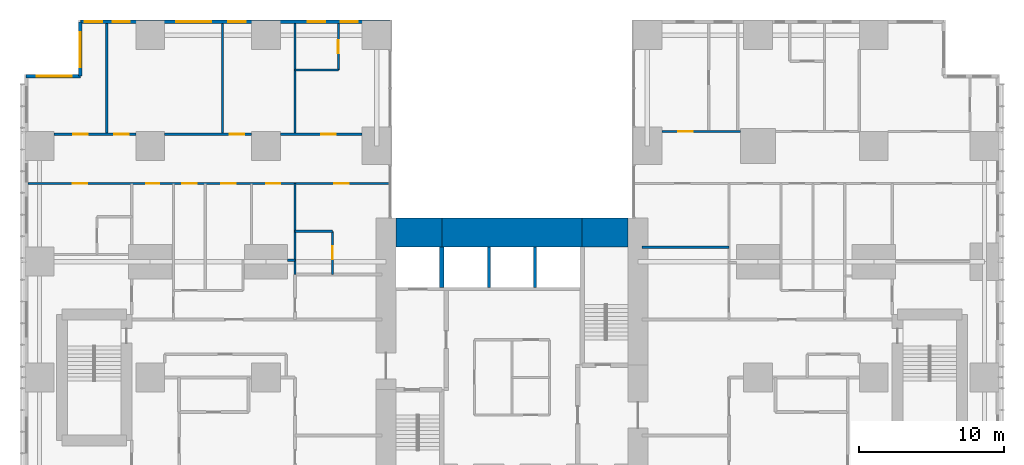
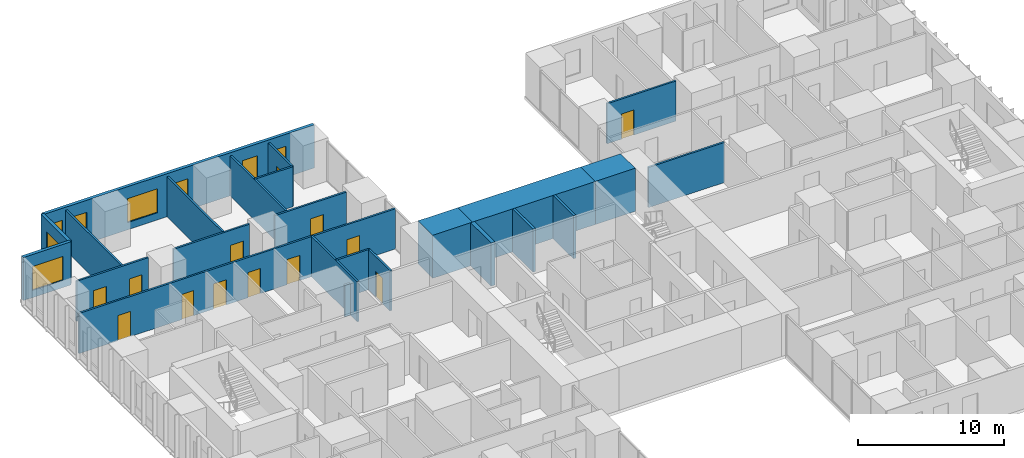
# One storey, part 17 of 20: 24 walls, 13 doors, 8 windows, 21 openings.
"""IFC4 building model written with IfcOpenShell, lengths in metres."""

from ifc_helpers import new_model, si_unit, direction, frame, frame_2d, origin, place, context, subcontext, project, spatial, rectangle, extrude, material, layer, layer_set, type_object, element, fill, save


model = new_model("IFC4")

# Units and contexts
model_context = context("Model", 3, precision=1e-05, world=origin(), true_north=direction((0.0, 1.0)))
body_context = subcontext(model_context, "Body", "Model", "MODEL_VIEW")
ifc_project = project(units=[si_unit("LENGTHUNIT", "METRE"), si_unit("AREAUNIT", "SQUARE_METRE"), si_unit("VOLUMEUNIT", "CUBIC_METRE"), si_unit("PLANEANGLEUNIT", "RADIAN"), si_unit("MASSUNIT", "GRAM", prefix="KILO")], contexts=[model_context])

# Site, building, storey
site_placement = place(None, origin())
site = spatial("IfcSite", under=ifc_project, at=site_placement, CompositionType="ELEMENT")
building_placement = place(site_placement, origin())
building = spatial("IfcBuilding", under=site, at=building_placement, Name="Cleftline Residences", CompositionType="ELEMENT")
storey_placement = place(building_placement, frame((0.0, 0.0, 44.0)))
storey = spatial("IfcBuildingStorey", under=building, at=storey_placement, Name="L10", CompositionType="ELEMENT", Elevation=44.0)

# Walls
ifc_material_1 = material(Name="Concrete B70", Category="concrete")
ifc_layer_1 = layer(ifc_material_1, 2.0)
ifc_layer_set_1 = layer_set([ifc_layer_1], Name="CORE WALL 2000")
wall_type_1 = type_object("IfcWallType", Name="CORE WALL 2000", PredefinedType="SHEAR", material=ifc_layer_set_1)
wall_1_placement = place(storey_placement, frame((25.0, 34.0, 0.0), z_axis=(0.0, 0.0, 1.0), x_axis=(1.0, 0.0, 0.0)))
element("IfcWall", 1, at=wall_1_placement, inside=storey, type_object=wall_type_1, Name="Core wall N1", PredefinedType="SHEAR", context=body_context, shape_type="SweptSolid", body=[
    extrude(rectangle(XDim=3.14990234375, YDim=2.0, at=frame_2d((1.574951171875, 0.0))), origin(), (0.0, 0.0, 1.0), 3.60009765625),
])
wall_2_placement = place(storey_placement, frame((28.14990234375, 34.0, 0.0), z_axis=(0.0, 0.0, 1.0), x_axis=(1.0, 0.0, 0.0)))
element("IfcWall", 2, at=wall_2_placement, inside=storey, type_object=wall_type_1, Name="Core wall N2", PredefinedType="SHEAR", context=body_context, shape_type="SweptSolid", body=[
    extrude(rectangle(XDim=9.7001953125, YDim=2.0, at=frame_2d((4.85009765625, 0.0))), origin(), (0.0, 0.0, 1.0), 3.60009765625),
])
wall_3_placement = place(storey_placement, frame((37.85009765625, 34.0, 0.0), z_axis=(0.0, 0.0, 1.0), x_axis=(1.0, 0.0, 0.0)))
element("IfcWall", 3, at=wall_3_placement, inside=storey, type_object=wall_type_1, Name="Core wall N3", PredefinedType="SHEAR", context=body_context, shape_type="SweptSolid", body=[
    extrude(rectangle(XDim=3.14990234375, YDim=2.0, at=frame_2d((1.574951171875, 0.0))), origin(), (0.0, 0.0, 1.0), 3.60009765625),
])
ifc_material_2 = material(Name="Concrete B70", Category="concrete")
ifc_layer_2 = layer(ifc_material_2, 0.300048828125)
ifc_layer_set_2 = layer_set([ifc_layer_2], Name="CORE WALL 300")
wall_type_2 = type_object("IfcWallType", Name="CORE WALL 300", PredefinedType="SHEAR", material=ifc_layer_set_2)
wall_4_placement = place(storey_placement, frame((28.14990234375, 30.199951171875, 0.0), z_axis=(0.0, 0.0, 1.0), x_axis=(0.0, 1.0, 0.0)))
element("IfcWall", 4, at=wall_4_placement, inside=storey, type_object=wall_type_2, Name="Lift shaft wall", PredefinedType="SHEAR", context=body_context, shape_type="SweptSolid", body=[
    extrude(rectangle(XDim=2.800048828125, YDim=0.300048828125, at=frame_2d((1.39990234375, 0.0))), origin(), (0.0, 0.0, 1.0), 3.60009765625),
])

# Wall, openings, windows
ifc_material_3 = material(Name="Rendered reinforced concrete blockwork", Category="masonry")
ifc_layer_3 = layer(ifc_material_3, 0.25)
ifc_layer_set_3 = layer_set([ifc_layer_3], Name="EXTERNAL WALL 250")
wall_type_3 = type_object("IfcWallType", Name="EXTERNAL WALL 250", PredefinedType="SOLIDWALL", material=ifc_layer_set_3)
wall_5_placement = place(storey_placement, frame((24.574951171875, 48.574951171875, 0.0), z_axis=(0.0, 0.0, 1.0), x_axis=(-1.0, 0.0, 0.0)))
wall_5 = element("IfcWall", 5, at=wall_5_placement, inside=storey, type_object=wall_type_3, Name="External wall", PredefinedType="SOLIDWALL", context=body_context, shape_type="SweptSolid", body=[
    extrude(rectangle(XDim=21.39990234375, YDim=0.25, at=frame_2d((10.699951171875, 0.0))), origin(), (0.0, 0.0, 1.0), 3.60009765625),
])
opening_1_placement = place(wall_5_placement, frame((2.22509765625, 0.0, 0.60009765625)))
opening_1 = element("IfcOpeningElement", 6, at=opening_1_placement, cuts=wall_5, Name="Opening W8", PredefinedType="OPENING", context=body_context, shape_type="SweptSolid", body=[
    extrude(rectangle(XDim=1.199951171875, YDim=2.0, at=frame_2d((0.60009765625, 1.0))), frame((0.0, 0.135009765625, 0.0), z_axis=(0.0, -1.0, 0.0), x_axis=(1.0, 0.0, 0.0)), (0.0, 0.0, 1.0), 0.27001953125),
])
opening_2_placement = place(wall_5_placement, frame((4.47509765625, 0.0, 0.60009765625)))
opening_2 = element("IfcOpeningElement", 7, at=opening_2_placement, cuts=wall_5, Name="Opening W8", PredefinedType="OPENING", context=body_context, shape_type="SweptSolid", body=[
    extrude(rectangle(XDim=1.199951171875, YDim=2.0, at=frame_2d((0.60009765625, 1.0))), frame((0.0, 0.135009765625, 0.0), z_axis=(0.0, -1.0, 0.0), x_axis=(1.0, 0.0, 0.0)), (0.0, 0.0, 1.0), 0.27001953125),
])
opening_3_placement = place(wall_5_placement, frame((9.97509765625, 0.0, 0.60009765625)))
opening_3 = element("IfcOpeningElement", 8, at=opening_3_placement, cuts=wall_5, Name="Opening W8", PredefinedType="OPENING", context=body_context, shape_type="SweptSolid", body=[
    extrude(rectangle(XDim=1.199951171875, YDim=2.0, at=frame_2d((0.60009765625, 1.0))), frame((0.0, 0.135009765625, 0.0), z_axis=(0.0, -1.0, 0.0), x_axis=(1.0, 0.0, 0.0)), (0.0, 0.0, 1.0), 0.27001953125),
])
opening_4_placement = place(wall_5_placement, frame((12.375, 0.0, 0.60009765625)))
opening_4 = element("IfcOpeningElement", 9, at=opening_4_placement, cuts=wall_5, Name="Opening W6", PredefinedType="OPENING", context=body_context, shape_type="SweptSolid", body=[
    extrude(rectangle(XDim=2.39990234375, YDim=2.0, at=frame_2d((1.199951171875, 1.0))), frame((0.0, 0.135009765625, 0.0), z_axis=(0.0, -1.0, 0.0), x_axis=(1.0, 0.0, 0.0)), (0.0, 0.0, 1.0), 0.27001953125),
])
opening_5_placement = place(wall_5_placement, frame((17.97509765625, 0.0, 0.60009765625)))
opening_5 = element("IfcOpeningElement", 10, at=opening_5_placement, cuts=wall_5, Name="Opening W8", PredefinedType="OPENING", context=body_context, shape_type="SweptSolid", body=[
    extrude(rectangle(XDim=1.199951171875, YDim=2.0, at=frame_2d((0.60009765625, 1.0))), frame((0.0, 0.135009765625, 0.0), z_axis=(0.0, -1.0, 0.0), x_axis=(1.0, 0.0, 0.0)), (0.0, 0.0, 1.0), 0.27001953125),
])
opening_6_placement = place(wall_5_placement, frame((19.89990234375, 0.0, 0.60009765625)))
opening_6 = element("IfcOpeningElement", 11, at=opening_6_placement, cuts=wall_5, Name="Opening W8", PredefinedType="OPENING", context=body_context, shape_type="SweptSolid", body=[
    extrude(rectangle(XDim=1.199951171875, YDim=2.0, at=frame_2d((0.60009765625, 1.0))), frame((0.0, 0.135009765625, 0.0), z_axis=(0.0, -1.0, 0.0), x_axis=(1.0, 0.0, 0.0)), (0.0, 0.0, 1.0), 0.27001953125),
])
ifc_material_4 = material(Name="Aluminium frame, clear double glazing", Category="aluminium")
window_type_1 = type_object("IfcWindowType", Name="WINDOW 1200X2000", PartitioningType="DOUBLE_PANEL_VERTICAL", PredefinedType="WINDOW", material=ifc_material_4)
window_1_placement = place(opening_1_placement, origin())
window_1 = element("IfcWindow", 12, at=window_1_placement, inside=storey, type_object=window_type_1, Name="Window", OverallHeight=2.0, OverallWidth=1.199951171875, PartitioningType="SINGLE_PANEL", PredefinedType="WINDOW", context=body_context, shape_type="SweptSolid", body=[
    extrude(rectangle(XDim=1.199951171875, YDim=2.0, at=frame_2d((0.60009765625, 1.0))), frame((0.0, 0.030029296875, 0.0), z_axis=(0.0, -1.0, 0.0), x_axis=(1.0, 0.0, 0.0)), (0.0, 0.0, 1.0), 0.06005859375),
])
fill(opening_1, window_1)
window_2_placement = place(opening_2_placement, origin())
window_2 = element("IfcWindow", 13, at=window_2_placement, inside=storey, type_object=window_type_1, Name="Window", OverallHeight=2.0, OverallWidth=1.199951171875, PartitioningType="SINGLE_PANEL", PredefinedType="WINDOW", context=body_context, shape_type="SweptSolid", body=[
    extrude(rectangle(XDim=1.199951171875, YDim=2.0, at=frame_2d((0.60009765625, 1.0))), frame((0.0, 0.030029296875, 0.0), z_axis=(0.0, -1.0, 0.0), x_axis=(1.0, 0.0, 0.0)), (0.0, 0.0, 1.0), 0.06005859375),
])
fill(opening_2, window_2)
window_3_placement = place(opening_3_placement, origin())
window_3 = element("IfcWindow", 14, at=window_3_placement, inside=storey, type_object=window_type_1, Name="Window", OverallHeight=2.0, OverallWidth=1.199951171875, PartitioningType="SINGLE_PANEL", PredefinedType="WINDOW", context=body_context, shape_type="SweptSolid", body=[
    extrude(rectangle(XDim=1.199951171875, YDim=2.0, at=frame_2d((0.60009765625, 1.0))), frame((0.0, 0.030029296875, 0.0), z_axis=(0.0, -1.0, 0.0), x_axis=(1.0, 0.0, 0.0)), (0.0, 0.0, 1.0), 0.06005859375),
])
fill(opening_3, window_3)
window_4_placement = place(opening_5_placement, origin())
window_4 = element("IfcWindow", 15, at=window_4_placement, inside=storey, type_object=window_type_1, Name="Window", OverallHeight=2.0, OverallWidth=1.199951171875, PartitioningType="SINGLE_PANEL", PredefinedType="WINDOW", context=body_context, shape_type="SweptSolid", body=[
    extrude(rectangle(XDim=1.199951171875, YDim=2.0, at=frame_2d((0.60009765625, 1.0))), frame((0.0, 0.030029296875, 0.0), z_axis=(0.0, -1.0, 0.0), x_axis=(1.0, 0.0, 0.0)), (0.0, 0.0, 1.0), 0.06005859375),
])
fill(opening_5, window_4)
window_5_placement = place(opening_6_placement, origin())
window_5 = element("IfcWindow", 16, at=window_5_placement, inside=storey, type_object=window_type_1, Name="Window", OverallHeight=2.0, OverallWidth=1.199951171875, PartitioningType="SINGLE_PANEL", PredefinedType="WINDOW", context=body_context, shape_type="SweptSolid", body=[
    extrude(rectangle(XDim=1.199951171875, YDim=2.0, at=frame_2d((0.60009765625, 1.0))), frame((0.0, 0.030029296875, 0.0), z_axis=(0.0, -1.0, 0.0), x_axis=(1.0, 0.0, 0.0)), (0.0, 0.0, 1.0), 0.06005859375),
])
fill(opening_6, window_5)
ifc_material_5 = material(Name="Aluminium frame, clear double glazing", Category="aluminium")
window_type_2 = type_object("IfcWindowType", Name="WINDOW 2400X2000", PartitioningType="DOUBLE_PANEL_VERTICAL", PredefinedType="WINDOW", material=ifc_material_5)
window_6_placement = place(opening_4_placement, origin())
window_6 = element("IfcWindow", 17, at=window_6_placement, inside=storey, type_object=window_type_2, Name="Window", OverallHeight=2.0, OverallWidth=2.39990234375, PartitioningType="SINGLE_PANEL", PredefinedType="WINDOW", context=body_context, shape_type="SweptSolid", body=[
    extrude(rectangle(XDim=2.39990234375, YDim=2.0, at=frame_2d((1.199951171875, 1.0))), frame((0.0, 0.030029296875, 0.0), z_axis=(0.0, -1.0, 0.0), x_axis=(1.0, 0.0, 0.0)), (0.0, 0.0, 1.0), 0.06005859375),
])
fill(opening_4, window_6)

# Wall, opening, window
wall_6_placement = place(storey_placement, frame((3.175048828125, 48.574951171875, 0.0), z_axis=(0.0, 0.0, 1.0), x_axis=(0.0, -1.0, 0.0)))
wall_6 = element("IfcWall", 18, at=wall_6_placement, inside=storey, type_object=wall_type_3, Name="External wall", PredefinedType="SOLIDWALL", context=body_context, shape_type="SweptSolid", body=[
    extrude(rectangle(XDim=3.75, YDim=0.25, at=frame_2d((1.875, 0.0))), origin(), (0.0, 0.0, 1.0), 3.60009765625),
])
opening_7_placement = place(wall_6_placement, frame((0.737548828125, 0.0, 0.60009765625)))
opening_7 = element("IfcOpeningElement", 19, at=opening_7_placement, cuts=wall_6, Name="Opening W6", PredefinedType="OPENING", context=body_context, shape_type="SweptSolid", body=[
    extrude(rectangle(XDim=2.39990234375, YDim=2.0, at=frame_2d((1.199951171875, 1.0))), frame((0.0, 0.135009765625, 0.0), z_axis=(0.0, -1.0, 0.0), x_axis=(1.0, 0.0, 0.0)), (0.0, 0.0, 1.0), 0.27001953125),
])
window_7_placement = place(opening_7_placement, origin())
window_7 = element("IfcWindow", 20, at=window_7_placement, inside=storey, type_object=window_type_2, Name="Window", OverallHeight=2.0, OverallWidth=2.39990234375, PartitioningType="SINGLE_PANEL", PredefinedType="WINDOW", context=body_context, shape_type="SweptSolid", body=[
    extrude(rectangle(XDim=2.39990234375, YDim=2.0, at=frame_2d((1.199951171875, 1.0))), frame((0.0, 0.030029296875, 0.0), z_axis=(0.0, -1.0, 0.0), x_axis=(1.0, 0.0, 0.0)), (0.0, 0.0, 1.0), 0.06005859375),
])
fill(opening_7, window_7)

wall_7_placement = place(storey_placement, frame((3.175048828125, 44.824951171875, 0.0), z_axis=(0.0, 0.0, 1.0), x_axis=(-1.0, 0.0, 0.0)))
wall_7 = element("IfcWall", 21, at=wall_7_placement, inside=storey, type_object=wall_type_3, Name="External wall", PredefinedType="SOLIDWALL", context=body_context, shape_type="SweptSolid", body=[
    extrude(rectangle(XDim=3.75, YDim=0.25, at=frame_2d((1.875, 0.0))), origin(), (0.0, 0.0, 1.0), 3.60009765625),
])
opening_8_placement = place(wall_7_placement, frame((0.612548828125, 0.0, 0.60009765625)))
opening_8 = element("IfcOpeningElement", 22, at=opening_8_placement, cuts=wall_7, Name="Opening W6", PredefinedType="OPENING", context=body_context, shape_type="SweptSolid", body=[
    extrude(rectangle(XDim=2.39990234375, YDim=2.0, at=frame_2d((1.199951171875, 1.0))), frame((0.0, 0.135009765625, 0.0), z_axis=(0.0, -1.0, 0.0), x_axis=(1.0, 0.0, 0.0)), (0.0, 0.0, 1.0), 0.27001953125),
])
window_8_placement = place(opening_8_placement, origin())
window_8 = element("IfcWindow", 23, at=window_8_placement, inside=storey, type_object=window_type_2, Name="Window", OverallHeight=2.0, OverallWidth=2.39990234375, PartitioningType="SINGLE_PANEL", PredefinedType="WINDOW", context=body_context, shape_type="SweptSolid", body=[
    extrude(rectangle(XDim=2.39990234375, YDim=2.0, at=frame_2d((1.199951171875, 1.0))), frame((0.0, 0.030029296875, 0.0), z_axis=(0.0, -1.0, 0.0), x_axis=(1.0, 0.0, 0.0)), (0.0, 0.0, 1.0), 0.06005859375),
])
fill(opening_8, window_8)

# Walls
ifc_material_6 = material(Name="Gypsum board on steel studs", Category="steel")
ifc_layer_4 = layer(ifc_material_6, 0.14990234375)
ifc_layer_set_4 = layer_set([ifc_layer_4], Name="PARTITION 150")
wall_type_4 = type_object("IfcWallType", Name="PARTITION 150", PredefinedType="PARTITIONING", material=ifc_layer_set_4)
wall_8_placement = place(storey_placement, frame((17.5, 32.10009765625, 0.0), z_axis=(0.0, 0.0, 1.0), x_axis=(1.0, 0.0, 0.0)))
element("IfcWall", 24, at=wall_8_placement, inside=storey, type_object=wall_type_4, Name="Partition", PredefinedType="PARTITIONING", context=body_context, shape_type="SweptSolid", body=[
    extrude(rectangle(XDim=0.5, YDim=0.14990234375, at=frame_2d((0.25, 0.0))), origin(), (0.0, 0.0, 1.0), 2.634033203125),
])
wall_9_placement = place(storey_placement, frame((42.0, 33.0, 0.0), z_axis=(0.0, 0.0, 1.0), x_axis=(1.0, 0.0, 0.0)))
element("IfcWall", 25, at=wall_9_placement, inside=storey, type_object=wall_type_4, Name="Partition", PredefinedType="PARTITIONING", context=body_context, shape_type="SweptSolid", body=[
    extrude(rectangle(XDim=6.0, YDim=0.14990234375, at=frame_2d((3.0, 0.0))), origin(), (0.0, 0.0, 1.0), 3.35009765625),
])
wall_10_placement = place(storey_placement, frame((18.0, 34.10009765625, 0.0), z_axis=(0.0, 0.0, 1.0), x_axis=(1.0, 0.0, 0.0)))
element("IfcWall", 26, at=wall_10_placement, inside=storey, type_object=wall_type_4, Name="Partition", PredefinedType="PARTITIONING", context=body_context, shape_type="SweptSolid", body=[
    extrude(rectangle(XDim=2.60009765625, YDim=0.14990234375, at=frame_2d((1.300048828125, 0.0))), origin(), (0.0, 0.0, 1.0), 3.35009765625),
])

# Wall, openings, doors
wall_11_placement = place(storey_placement, frame((-0.449951171875, 37.39990234375, 0.0), z_axis=(0.0, 0.0, 1.0), x_axis=(1.0, 0.0, 0.0)))
wall_11 = element("IfcWall", 27, at=wall_11_placement, inside=storey, type_object=wall_type_4, Name="Partition", PredefinedType="PARTITIONING", context=body_context, shape_type="SweptSolid", body=[
    extrude(rectangle(XDim=25.010986328125, YDim=0.14990234375, at=frame_2d((12.50537109375, 0.0))), origin(), (0.0, 0.0, 1.0), 3.35009765625),
])
opening_9_placement = place(wall_11_placement, frame((10.64990234375, 0.0, 0.0)))
opening_9 = element("IfcOpeningElement", 28, at=opening_9_placement, cuts=wall_11, Name="Opening D2", PredefinedType="OPENING", context=body_context, shape_type="SweptSolid", body=[
    extrude(rectangle(XDim=1.0, YDim=2.10009765625, at=frame_2d((0.5, 1.050048828125))), frame((0.0, 0.0849609375, 0.0), z_axis=(0.0, -1.0, 0.0), x_axis=(1.0, 0.0, 0.0)), (0.0, 0.0, 1.0), 0.169921875),
])
opening_10_placement = place(wall_11_placement, frame((3.08740234375, 0.0, 0.0)))
opening_10 = element("IfcOpeningElement", 29, at=opening_10_placement, cuts=wall_11, Name="Opening D2", PredefinedType="OPENING", context=body_context, shape_type="SweptSolid", body=[
    extrude(rectangle(XDim=1.0, YDim=2.10009765625, at=frame_2d((0.5, 1.050048828125))), frame((0.0, 0.0849609375, 0.0), z_axis=(0.0, -1.0, 0.0), x_axis=(1.0, 0.0, 0.0)), (0.0, 0.0, 1.0), 0.169921875),
])
opening_11_placement = place(wall_11_placement, frame((8.16259765625, 0.0, 0.0)))
opening_11 = element("IfcOpeningElement", 30, at=opening_11_placement, cuts=wall_11, Name="Opening D1", PredefinedType="OPENING", context=body_context, shape_type="SweptSolid", body=[
    extrude(rectangle(XDim=0.89990234375, YDim=2.10009765625, at=frame_2d((0.449951171875, 1.050048828125))), frame((0.0, 0.0849609375, 0.0), z_axis=(0.0, -1.0, 0.0), x_axis=(1.0, 0.0, 0.0)), (0.0, 0.0, 1.0), 0.169921875),
])
opening_12_placement = place(wall_11_placement, frame((13.35009765625, 0.0, 0.0)))
opening_12 = element("IfcOpeningElement", 31, at=opening_12_placement, cuts=wall_11, Name="Opening D2", PredefinedType="OPENING", context=body_context, shape_type="SweptSolid", body=[
    extrude(rectangle(XDim=1.0, YDim=2.10009765625, at=frame_2d((0.5, 1.050048828125))), frame((0.0, 0.0849609375, 0.0), z_axis=(0.0, -1.0, 0.0), x_axis=(1.0, 0.0, 0.0)), (0.0, 0.0, 1.0), 0.169921875),
])
opening_13_placement = place(wall_11_placement, frame((16.449951171875, 0.0, 0.0)))
opening_13 = element("IfcOpeningElement", 32, at=opening_13_placement, cuts=wall_11, Name="Opening D2", PredefinedType="OPENING", context=body_context, shape_type="SweptSolid", body=[
    extrude(rectangle(XDim=1.0, YDim=2.10009765625, at=frame_2d((0.5, 1.050048828125))), frame((0.0, 0.0849609375, 0.0), z_axis=(0.0, -1.0, 0.0), x_axis=(1.0, 0.0, 0.0)), (0.0, 0.0, 1.0), 0.169921875),
])
opening_14_placement = place(wall_11_placement, frame((21.175048828125, 0.0, 0.0)))
opening_14 = element("IfcOpeningElement", 33, at=opening_14_placement, cuts=wall_11, Name="Opening D2", PredefinedType="OPENING", context=body_context, shape_type="SweptSolid", body=[
    extrude(rectangle(XDim=1.0, YDim=2.10009765625, at=frame_2d((0.5, 1.050048828125))), frame((0.0, 0.0849609375, 0.0), z_axis=(0.0, -1.0, 0.0), x_axis=(1.0, 0.0, 0.0)), (0.0, 0.0, 1.0), 0.169921875),
])
ifc_material_7 = material(Name="Timber veneer on solid core", Category="wood")
door_type_1 = type_object("IfcDoorType", Name="DOOR 1000X2100", OperationType="SINGLE_SWING_LEFT", PredefinedType="DOOR", material=ifc_material_7)
door_1_placement = place(opening_9_placement, origin())
door_1 = element("IfcDoor", 34, at=door_1_placement, inside=storey, type_object=door_type_1, Name="Door to residence hall", OperationType="SINGLE_SWING_RIGHT", OverallHeight=2.10009765625, OverallWidth=1.0, PredefinedType="DOOR", context=body_context, shape_type="SweptSolid", body=[
    extrude(rectangle(XDim=1.0, YDim=2.10009765625, at=frame_2d((0.5, 1.050048828125))), frame((0.0, 0.02490234375, 0.0), z_axis=(0.0, -1.0, 0.0), x_axis=(1.0, 0.0, 0.0)), (0.0, 0.0, 1.0), 0.050048828125),
])
fill(opening_9, door_1)
door_2_placement = place(opening_10_placement, origin())
door_2 = element("IfcDoor", 35, at=door_2_placement, inside=storey, type_object=door_type_1, Name="Door to bedroom 2", OperationType="SINGLE_SWING_RIGHT", OverallHeight=2.10009765625, OverallWidth=1.0, PredefinedType="DOOR", context=body_context, shape_type="SweptSolid", body=[
    extrude(rectangle(XDim=1.0, YDim=2.10009765625, at=frame_2d((0.5, 1.050048828125))), frame((0.0, 0.02490234375, 0.0), z_axis=(0.0, -1.0, 0.0), x_axis=(1.0, 0.0, 0.0)), (0.0, 0.0, 1.0), 0.050048828125),
])
fill(opening_10, door_2)
door_3_placement = place(opening_12_placement, origin())
door_3 = element("IfcDoor", 36, at=door_3_placement, inside=storey, type_object=door_type_1, Name="Door to family room", OperationType="SINGLE_SWING_LEFT", OverallHeight=2.10009765625, OverallWidth=1.0, PredefinedType="DOOR", context=body_context, shape_type="SweptSolid", body=[
    extrude(rectangle(XDim=1.0, YDim=2.10009765625, at=frame_2d((0.5, 1.050048828125))), frame((0.0, 0.02490234375, 0.0), z_axis=(0.0, -1.0, 0.0), x_axis=(1.0, 0.0, 0.0)), (0.0, 0.0, 1.0), 0.050048828125),
])
fill(opening_12, door_3)
door_4_placement = place(opening_13_placement, origin())
door_4 = element("IfcDoor", 37, at=door_4_placement, inside=storey, type_object=door_type_1, Name="Door to wet kitchen", OperationType="SINGLE_SWING_LEFT", OverallHeight=2.10009765625, OverallWidth=1.0, PredefinedType="DOOR", context=body_context, shape_type="SweptSolid", body=[
    extrude(rectangle(XDim=1.0, YDim=2.10009765625, at=frame_2d((0.5, 1.050048828125))), frame((0.0, 0.02490234375, 0.0), z_axis=(0.0, -1.0, 0.0), x_axis=(1.0, 0.0, 0.0)), (0.0, 0.0, 1.0), 0.050048828125),
])
fill(opening_13, door_4)
door_5_placement = place(opening_14_placement, origin())
door_5 = element("IfcDoor", 38, at=door_5_placement, inside=storey, type_object=door_type_1, Name="Door to bedroom 3", OperationType="SINGLE_SWING_LEFT", OverallHeight=2.10009765625, OverallWidth=1.0, PredefinedType="DOOR", context=body_context, shape_type="SweptSolid", body=[
    extrude(rectangle(XDim=1.0, YDim=2.10009765625, at=frame_2d((0.5, 1.050048828125))), frame((0.0, 0.02490234375, 0.0), z_axis=(0.0, -1.0, 0.0), x_axis=(1.0, 0.0, 0.0)), (0.0, 0.0, 1.0), 0.050048828125),
])
fill(opening_14, door_5)
ifc_material_8 = material(Name="Timber veneer on solid core", Category="wood")
door_type_2 = type_object("IfcDoorType", Name="DOOR 900X2100", OperationType="SINGLE_SWING_LEFT", PredefinedType="DOOR", material=ifc_material_8)
door_6_placement = place(opening_11_placement, origin())
door_6 = element("IfcDoor", 39, at=door_6_placement, inside=storey, type_object=door_type_2, Name="Door to linen store", OperationType="SINGLE_SWING_RIGHT", OverallHeight=2.10009765625, OverallWidth=0.89990234375, PredefinedType="DOOR", context=body_context, shape_type="SweptSolid", body=[
    extrude(rectangle(XDim=0.89990234375, YDim=2.10009765625, at=frame_2d((0.449951171875, 1.050048828125))), frame((0.0, 0.02490234375, 0.0), z_axis=(0.0, -1.0, 0.0), x_axis=(1.0, 0.0, 0.0)), (0.0, 0.0, 1.0), 0.050048828125),
])
fill(opening_11, door_6)

wall_12_placement = place(storey_placement, frame((1.35009765625, 40.800048828125, 0.0), z_axis=(0.0, 0.0, 1.0), x_axis=(1.0, 0.0, 0.0)))
wall_12 = element("IfcWall", 40, at=wall_12_placement, inside=storey, type_object=wall_type_4, Name="Partition", PredefinedType="PARTITIONING", context=body_context, shape_type="SweptSolid", body=[
    extrude(rectangle(XDim=5.64990234375, YDim=0.14990234375, at=frame_2d((2.824951171875, 0.0))), origin(), (0.0, 0.0, 1.0), 3.35009765625),
])
opening_15_placement = place(wall_12_placement, frame((1.324951171875, 0.0, 0.0)))
opening_15 = element("IfcOpeningElement", 41, at=opening_15_placement, cuts=wall_12, Name="Opening D2", PredefinedType="OPENING", context=body_context, shape_type="SweptSolid", body=[
    extrude(rectangle(XDim=1.0, YDim=2.10009765625, at=frame_2d((0.5, 1.050048828125))), frame((0.0, 0.0849609375, 0.0), z_axis=(0.0, -1.0, 0.0), x_axis=(1.0, 0.0, 0.0)), (0.0, 0.0, 1.0), 0.169921875),
])
opening_16_placement = place(wall_12_placement, frame((4.14990234375, 0.0, 0.0)))
opening_16 = element("IfcOpeningElement", 42, at=opening_16_placement, cuts=wall_12, Name="Opening D2", PredefinedType="OPENING", context=body_context, shape_type="SweptSolid", body=[
    extrude(rectangle(XDim=1.0, YDim=2.10009765625, at=frame_2d((0.5, 1.050048828125))), frame((0.0, 0.0849609375, 0.0), z_axis=(0.0, -1.0, 0.0), x_axis=(1.0, 0.0, 0.0)), (0.0, 0.0, 1.0), 0.169921875),
])
door_7_placement = place(opening_15_placement, origin())
door_7 = element("IfcDoor", 43, at=door_7_placement, inside=storey, type_object=door_type_1, Name="Door to winter garden", OperationType="SINGLE_SWING_RIGHT", OverallHeight=2.10009765625, OverallWidth=1.0, PredefinedType="DOOR", context=body_context, shape_type="SweptSolid", body=[
    extrude(rectangle(XDim=1.0, YDim=2.10009765625, at=frame_2d((0.5, 1.050048828125))), frame((0.0, 0.02490234375, 0.0), z_axis=(0.0, -1.0, 0.0), x_axis=(1.0, 0.0, 0.0)), (0.0, 0.0, 1.0), 0.050048828125),
])
fill(opening_15, door_7)
door_8_placement = place(opening_16_placement, origin())
door_8 = element("IfcDoor", 44, at=door_8_placement, inside=storey, type_object=door_type_1, Name="Door to living and dining room", OperationType="SINGLE_SWING_LEFT", OverallHeight=2.10009765625, OverallWidth=1.0, PredefinedType="DOOR", context=body_context, shape_type="SweptSolid", body=[
    extrude(rectangle(XDim=1.0, YDim=2.10009765625, at=frame_2d((0.5, 1.050048828125))), frame((0.0, 0.02490234375, 0.0), z_axis=(0.0, -1.0, 0.0), x_axis=(1.0, 0.0, 0.0)), (0.0, 0.0, 1.0), 0.050048828125),
])
fill(opening_16, door_8)

# Wall, opening, door
wall_13_placement = place(storey_placement, frame((9.0, 40.800048828125, 0.0), z_axis=(0.0, 0.0, 1.0), x_axis=(1.0, 0.0, 0.0)))
wall_13 = element("IfcWall", 45, at=wall_13_placement, inside=storey, type_object=wall_type_4, Name="Partition", PredefinedType="PARTITIONING", context=body_context, shape_type="SweptSolid", body=[
    extrude(rectangle(XDim=6.0, YDim=0.14990234375, at=frame_2d((3.0, 0.0))), origin(), (0.0, 0.0, 1.0), 3.35009765625),
])
opening_17_placement = place(wall_13_placement, frame((4.5, 0.0, 0.0)))
opening_17 = element("IfcOpeningElement", 46, at=opening_17_placement, cuts=wall_13, Name="Opening D2", PredefinedType="OPENING", context=body_context, shape_type="SweptSolid", body=[
    extrude(rectangle(XDim=1.0, YDim=2.10009765625, at=frame_2d((0.5, 1.050048828125))), frame((0.0, 0.0849609375, 0.0), z_axis=(0.0, -1.0, 0.0), x_axis=(1.0, 0.0, 0.0)), (0.0, 0.0, 1.0), 0.169921875),
])
door_9_placement = place(opening_17_placement, origin())
door_9 = element("IfcDoor", 47, at=door_9_placement, inside=storey, type_object=door_type_1, Name="Door to show kitchen", OperationType="SINGLE_SWING_LEFT", OverallHeight=2.10009765625, OverallWidth=1.0, PredefinedType="DOOR", context=body_context, shape_type="SweptSolid", body=[
    extrude(rectangle(XDim=1.0, YDim=2.10009765625, at=frame_2d((0.5, 1.050048828125))), frame((0.0, 0.02490234375, 0.0), z_axis=(0.0, -1.0, 0.0), x_axis=(1.0, 0.0, 0.0)), (0.0, 0.0, 1.0), 0.050048828125),
])
fill(opening_17, door_9)

wall_14_placement = place(storey_placement, frame((17.0, 40.800048828125, 0.0), z_axis=(0.0, 0.0, 1.0), x_axis=(1.0, 0.0, 0.0)))
wall_14 = element("IfcWall", 48, at=wall_14_placement, inside=storey, type_object=wall_type_4, Name="Partition", PredefinedType="PARTITIONING", context=body_context, shape_type="SweptSolid", body=[
    extrude(rectangle(XDim=5.64990234375, YDim=0.14990234375, at=frame_2d((2.824951171875, 0.0))), origin(), (0.0, 0.0, 1.0), 3.35009765625),
])
opening_18_placement = place(wall_14_placement, frame((2.824951171875, 0.0, 0.0)))
opening_18 = element("IfcOpeningElement", 49, at=opening_18_placement, cuts=wall_14, Name="Opening D2", PredefinedType="OPENING", context=body_context, shape_type="SweptSolid", body=[
    extrude(rectangle(XDim=1.0, YDim=2.10009765625, at=frame_2d((0.5, 1.050048828125))), frame((0.0, 0.0849609375, 0.0), z_axis=(0.0, -1.0, 0.0), x_axis=(1.0, 0.0, 0.0)), (0.0, 0.0, 1.0), 0.169921875),
])
door_10_placement = place(opening_18_placement, origin())
door_10 = element("IfcDoor", 50, at=door_10_placement, inside=storey, type_object=door_type_1, Name="Door to master bedroom", OperationType="SINGLE_SWING_LEFT", OverallHeight=2.10009765625, OverallWidth=1.0, PredefinedType="DOOR", context=body_context, shape_type="SweptSolid", body=[
    extrude(rectangle(XDim=1.0, YDim=2.10009765625, at=frame_2d((0.5, 1.050048828125))), frame((0.0, 0.02490234375, 0.0), z_axis=(0.0, -1.0, 0.0), x_axis=(1.0, 0.0, 0.0)), (0.0, 0.0, 1.0), 0.050048828125),
])
fill(opening_18, door_10)

wall_15_placement = place(storey_placement, frame((43.35009765625, 41.0, 0.0), z_axis=(0.0, 0.0, 1.0), x_axis=(1.0, 0.0, 0.0)))
wall_15 = element("IfcWall", 51, at=wall_15_placement, inside=storey, type_object=wall_type_4, Name="Partition", PredefinedType="PARTITIONING", context=body_context, shape_type="SweptSolid", body=[
    extrude(rectangle(XDim=5.449951171875, YDim=0.14990234375, at=frame_2d((2.72509765625, 0.0))), origin(), (0.0, 0.0, 1.0), 3.35009765625),
])
opening_19_placement = place(wall_15_placement, frame((1.125, 0.0, 0.0)))
opening_19 = element("IfcOpeningElement", 52, at=opening_19_placement, cuts=wall_15, Name="Opening D2", PredefinedType="OPENING", context=body_context, shape_type="SweptSolid", body=[
    extrude(rectangle(XDim=1.0, YDim=2.10009765625, at=frame_2d((0.5, 1.050048828125))), frame((0.0, 0.0849609375, 0.0), z_axis=(0.0, -1.0, 0.0), x_axis=(1.0, 0.0, 0.0)), (0.0, 0.0, 1.0), 0.169921875),
])
door_11_placement = place(opening_19_placement, origin())
door_11 = element("IfcDoor", 53, at=door_11_placement, inside=storey, type_object=door_type_1, Name="Door to bedroom 3", OperationType="SINGLE_SWING_RIGHT", OverallHeight=2.10009765625, OverallWidth=1.0, PredefinedType="DOOR", context=body_context, shape_type="SweptSolid", body=[
    extrude(rectangle(XDim=1.0, YDim=2.10009765625, at=frame_2d((0.5, 1.050048828125))), frame((0.0, 0.02490234375, 0.0), z_axis=(0.0, -1.0, 0.0), x_axis=(1.0, 0.0, 0.0)), (0.0, 0.0, 1.0), 0.050048828125),
])
fill(opening_19, door_11)

# Walls
wall_16_placement = place(storey_placement, frame((18.0, 45.25, 0.0), z_axis=(0.0, 0.0, 1.0), x_axis=(1.0, 0.0, 0.0)))
element("IfcWall", 54, at=wall_16_placement, inside=storey, type_object=wall_type_4, Name="Partition", PredefinedType="PARTITIONING", context=body_context, shape_type="SweptSolid", body=[
    extrude(rectangle(XDim=3.0, YDim=0.14990234375, at=frame_2d((1.5, 0.0))), origin(), (0.0, 0.0, 1.0), 3.35009765625),
])
for number, where, z_axis, x_axis, name in (
    (55, (5.0, 40.800048828125, 0.0), (0.0, 0.0, 1.0), (0.0, 1.0, 0.0), "Partition"),
    (56, (13.0, 40.800048828125, 0.0), (0.0, 0.0, 1.0), (0.0, 1.0, 0.0), "Partition"),
):
    element("IfcWall", number, at=place(storey_placement, frame(where, z_axis=z_axis, x_axis=x_axis)), inside=storey, type_object=wall_type_4, Name=name, PredefinedType="PARTITIONING", context=body_context, shape_type="SweptSolid", body=[
        extrude(rectangle(XDim=7.64990234375, YDim=0.14990234375, at=frame_2d((3.824951171875, 0.0))), origin(), (0.0, 0.0, 1.0), 3.35009765625),
    ])
wall_17_placement = place(storey_placement, frame((18.0, 31.10009765625, 0.0), z_axis=(0.0, 0.0, 1.0), x_axis=(0.0, 1.0, 0.0)))
element("IfcWall", 57, at=wall_17_placement, inside=storey, type_object=wall_type_4, Name="Partition", PredefinedType="PARTITIONING", context=body_context, shape_type="SweptSolid", body=[
    extrude(rectangle(XDim=6.2998046875, YDim=0.14990234375, at=frame_2d((3.14990234375, 0.0))), origin(), (0.0, 0.0, 1.0), 3.35009765625),
])
wall_18_placement = place(storey_placement, frame((18.0, 40.800048828125, 0.0), z_axis=(0.0, 0.0, 1.0), x_axis=(0.0, 1.0, 0.0)))
element("IfcWall", 58, at=wall_18_placement, inside=storey, type_object=wall_type_4, Name="Partition", PredefinedType="PARTITIONING", context=body_context, shape_type="SweptSolid", body=[
    extrude(rectangle(XDim=7.64990234375, YDim=0.14990234375, at=frame_2d((3.824951171875, 0.0))), origin(), (0.0, 0.0, 1.0), 3.35009765625),
])

# Wall, opening, door
wall_19_placement = place(storey_placement, frame((20.60009765625, 31.10009765625, 0.0), z_axis=(0.0, 0.0, 1.0), x_axis=(0.0, 1.0, 0.0)))
wall_19 = element("IfcWall", 59, at=wall_19_placement, inside=storey, type_object=wall_type_4, Name="Partition", PredefinedType="PARTITIONING", context=body_context, shape_type="SweptSolid", body=[
    extrude(rectangle(XDim=3.0, YDim=0.14990234375, at=frame_2d((1.5, 0.0))), origin(), (0.0, 0.0, 1.0), 3.35009765625),
])
opening_20_placement = place(wall_19_placement, frame((1.050048828125, 0.0, 0.0)))
opening_20 = element("IfcOpeningElement", 60, at=opening_20_placement, cuts=wall_19, Name="Opening D1", PredefinedType="OPENING", context=body_context, shape_type="SweptSolid", body=[
    extrude(rectangle(XDim=0.89990234375, YDim=2.10009765625, at=frame_2d((0.449951171875, 1.050048828125))), frame((0.0, 0.0849609375, 0.0), z_axis=(0.0, -1.0, 0.0), x_axis=(1.0, 0.0, 0.0)), (0.0, 0.0, 1.0), 0.169921875),
])
door_12_placement = place(opening_20_placement, origin())
door_12 = element("IfcDoor", 61, at=door_12_placement, inside=storey, type_object=door_type_2, Name="Door to en-suite bathroom 3", OperationType="SINGLE_SWING_LEFT", OverallHeight=2.10009765625, OverallWidth=0.89990234375, PredefinedType="DOOR", context=body_context, shape_type="SweptSolid", body=[
    extrude(rectangle(XDim=0.89990234375, YDim=2.10009765625, at=frame_2d((0.449951171875, 1.050048828125))), frame((0.0, 0.02490234375, 0.0), z_axis=(0.0, -1.0, 0.0), x_axis=(1.0, 0.0, 0.0)), (0.0, 0.0, 1.0), 0.050048828125),
])
fill(opening_20, door_12)

wall_20_placement = place(storey_placement, frame((21.0, 45.25, 0.0), z_axis=(0.0, 0.0, 1.0), x_axis=(0.0, 1.0, 0.0)))
wall_20 = element("IfcWall", 62, at=wall_20_placement, inside=storey, type_object=wall_type_4, Name="Partition", PredefinedType="PARTITIONING", context=body_context, shape_type="SweptSolid", body=[
    extrude(rectangle(XDim=3.199951171875, YDim=0.14990234375, at=frame_2d((1.60009765625, 0.0))), origin(), (0.0, 0.0, 1.0), 3.35009765625),
])
opening_21_placement = place(wall_20_placement, frame((1.14990234375, 0.0, 0.0)))
opening_21 = element("IfcOpeningElement", 63, at=opening_21_placement, cuts=wall_20, Name="Opening D1", PredefinedType="OPENING", context=body_context, shape_type="SweptSolid", body=[
    extrude(rectangle(XDim=0.89990234375, YDim=2.10009765625, at=frame_2d((0.449951171875, 1.050048828125))), frame((0.0, 0.0849609375, 0.0), z_axis=(0.0, -1.0, 0.0), x_axis=(1.0, 0.0, 0.0)), (0.0, 0.0, 1.0), 0.169921875),
])
door_13_placement = place(opening_21_placement, origin())
door_13 = element("IfcDoor", 64, at=door_13_placement, inside=storey, type_object=door_type_2, Name="Door to master bathroom", OperationType="SINGLE_SWING_LEFT", OverallHeight=2.10009765625, OverallWidth=0.89990234375, PredefinedType="DOOR", context=body_context, shape_type="SweptSolid", body=[
    extrude(rectangle(XDim=0.89990234375, YDim=2.10009765625, at=frame_2d((0.449951171875, 1.050048828125))), frame((0.0, 0.02490234375, 0.0), z_axis=(0.0, -1.0, 0.0), x_axis=(1.0, 0.0, 0.0)), (0.0, 0.0, 1.0), 0.050048828125),
])
fill(opening_21, door_13)

# Walls
ifc_material_9 = material(Name="Concrete blockwork, fire rated", Category="masonry")
ifc_layer_5 = layer(ifc_material_9, 0.199951171875)
ifc_layer_set_5 = layer_set([ifc_layer_5], Name="SHAFT WALL 200")
wall_type_5 = type_object("IfcWallType", Name="SHAFT WALL 200", PredefinedType="PARTITIONING", material=ifc_layer_set_5)
for number, where, z_axis, x_axis, name in (
    (65, (31.39990234375, 30.199951171875, 0.0), (0.0, 0.0, 1.0), (0.0, 1.0, 0.0), "Lift shaft wall"),
    (66, (34.60009765625, 30.199951171875, 0.0), (0.0, 0.0, 1.0), (0.0, 1.0, 0.0), "Lift shaft wall"),
):
    element("IfcWall", number, at=place(storey_placement, frame(where, z_axis=z_axis, x_axis=x_axis)), inside=storey, type_object=wall_type_5, Name=name, PredefinedType="PARTITIONING", context=body_context, shape_type="SweptSolid", body=[
        extrude(rectangle(XDim=2.800048828125, YDim=0.199951171875, at=frame_2d((1.39990234375, 0.0))), origin(), (0.0, 0.0, 1.0), 3.60009765625),
    ])

save(model, "model.ifc")
